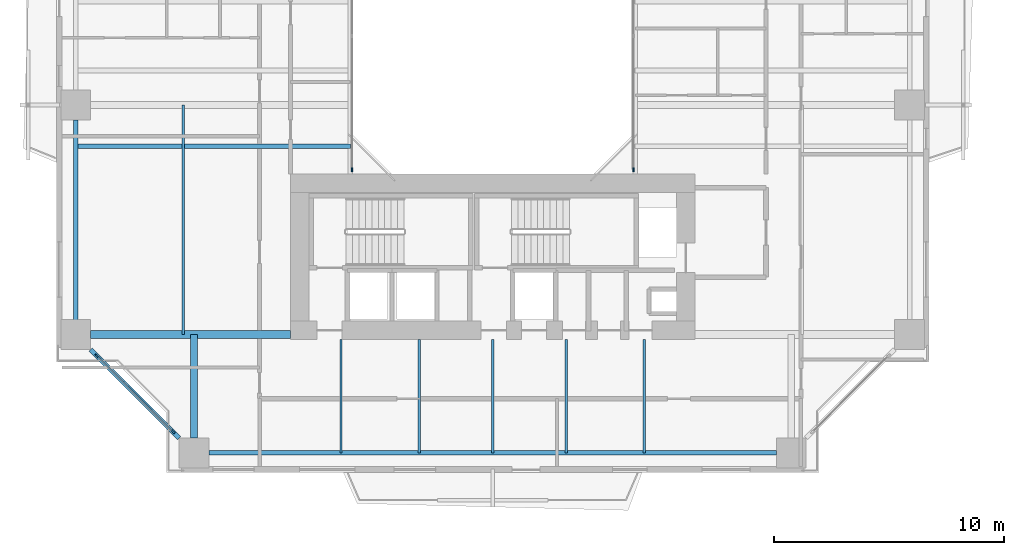
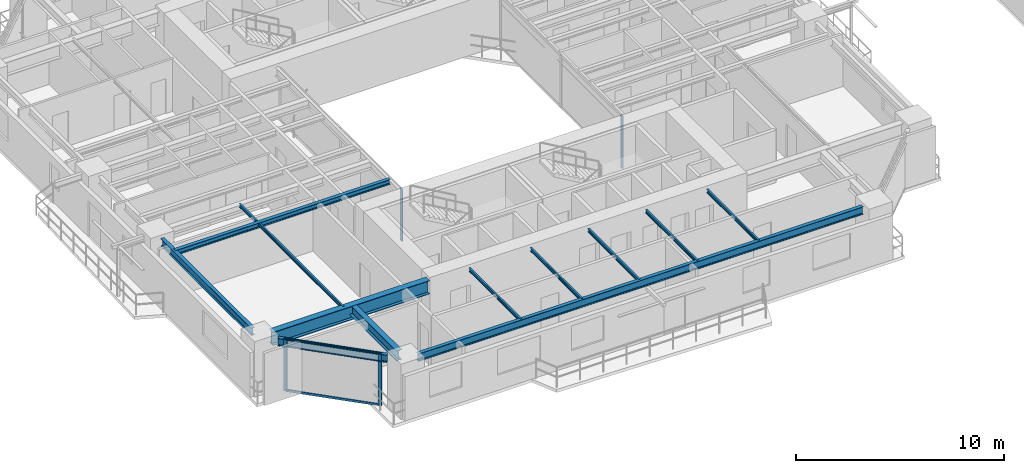
# One storey, part 2 of 23: 12 beams, 6 members, 3 elements without a shape of their own.
"""IFC4 building model written with IfcOpenShell, lengths in metres."""

from ifc_helpers import new_model, si_unit, direction, frame, origin, origin_2d, place, context, subcontext, project, spatial, rectangle, i_section, extrude, source, transform, mapped, material, layer, layer_set, material_profile, profile_set, type_object, element, aggregate, save


model = new_model("IFC4")

# Units and contexts
model_context = context("Model", 3, precision=1e-05, world=origin(), true_north=direction((0.0, 1.0)))
body_context = subcontext(model_context, "Body", "Model", "MODEL_VIEW")
ifc_project = project(units=[si_unit("LENGTHUNIT", "METRE"), si_unit("AREAUNIT", "SQUARE_METRE"), si_unit("VOLUMEUNIT", "CUBIC_METRE"), si_unit("PLANEANGLEUNIT", "RADIAN"), si_unit("MASSUNIT", "GRAM", prefix="KILO"), si_unit("THERMODYNAMICTEMPERATUREUNIT", "KELVIN"), si_unit("POWERUNIT", "WATT")], contexts=[model_context])

# Site, building, storey
site_placement = place(None, origin())
site = spatial("IfcSite", under=ifc_project, at=site_placement, CompositionType="ELEMENT")
building_placement = place(site_placement, origin())
building = spatial("IfcBuilding", under=site, at=building_placement, Name="Qiaomeng Ring Towers", CompositionType="ELEMENT")
storey_placement = place(building_placement, frame((0.0, 0.0, 82.75)))
storey = spatial("IfcBuildingStorey", under=building, at=storey_placement, Name="L23", CompositionType="ELEMENT", Elevation=82.75)

# Beams
ifc_material_1 = material(Name="Steel Q355B", Category="steel")
ifc_material_profile_1 = material_profile(ifc_material_1, i_section(OverallWidth=0.199951171875, OverallDepth=0.449951171875, WebThickness=0.009033203125, FlangeThickness=0.013916015625, FilletRadius=0.01806640625, at=origin_2d()), Name="HN 450x200x9x14")
ifc_profile_set_1 = profile_set([ifc_material_profile_1], Name="Steel Q355B")
beam_type_1 = type_object("IfcBeamType", Name="STR-BM-HN450", PredefinedType="SPANDREL", material=ifc_profile_set_1)
shared_shape_1 = source(origin(), body_context, "Body", "SweptSolid", [
    extrude(i_section(OverallWidth=0.199951171875, OverallDepth=0.449951171875, WebThickness=0.009033203125, FlangeThickness=0.013916015625, FilletRadius=0.01806640625, at=origin_2d()), origin(), (0.0, 0.0, 1.0), 24.7021484375),
])
beam_1_placement = place(storey_placement, frame((6.64892578125, 4.85009765625, 2.844970703125), z_axis=(1.0, 0.0, 0.0), x_axis=(0.0, 1.0, 0.0)))
element("IfcBeam", 1, at=beam_1_placement, inside=storey, type_object=beam_type_1, Name="L23 beam STR-SP-L23-T1-S1-S2", PredefinedType="SPANDREL", context=body_context, shape_type="MappedRepresentation", body=[
    mapped(shared_shape_1, transform((0.0, 0.0, 0.0), x_axis=(1.0, 0.0, 0.0), y_axis=(0.0, 1.0, 0.0), z_axis=(0.0, 0.0, 1.0), scale=1.0)),
])
shared_shape_2 = source(origin(), body_context, "Body", "SweptSolid", [
    extrude(i_section(OverallWidth=0.199951171875, OverallDepth=0.449951171875, WebThickness=0.009033203125, FlangeThickness=0.013916015625, FilletRadius=0.01806640625, at=origin_2d()), origin(), (0.0, 0.0, 1.0), 5.446533203125),
])
beam_2_placement = place(storey_placement, frame((1.499267578125, 9.3505859375, 2.844970703125), z_axis=(0.707106781187, -0.707106781187, 0.0), x_axis=(0.707106781187, 0.707106781187, 0.0)))
element("IfcBeam", 2, at=beam_2_placement, inside=storey, type_object=beam_type_1, Name="L23 beam STR-SP-L23-T1-W1-S1", PredefinedType="SPANDREL", context=body_context, shape_type="MappedRepresentation", body=[
    mapped(shared_shape_2, transform((0.0, 0.0, 0.0), x_axis=(1.0, 0.0, 0.0), y_axis=(0.0, 1.0, 0.0), z_axis=(0.0, 0.0, 1.0), scale=1.0)),
])
shared_shape_3 = source(origin(), body_context, "Body", "SweptSolid", [
    extrude(i_section(OverallWidth=0.199951171875, OverallDepth=0.449951171875, WebThickness=0.009033203125, FlangeThickness=0.013916015625, FilletRadius=0.01806640625, at=origin_2d()), origin(), (0.0, 0.0, 1.0), 8.7021484375),
])
beam_3_placement = place(storey_placement, frame((0.85009765625, 19.35107421875, 2.844970703125), z_axis=(0.0, -1.0, 0.0), x_axis=(1.0, 0.0, 0.0)))
element("IfcBeam", 3, at=beam_3_placement, inside=storey, type_object=beam_type_1, Name="L23 beam STR-SP-L23-T1-W2-W1", PredefinedType="SPANDREL", context=body_context, shape_type="MappedRepresentation", body=[
    mapped(shared_shape_3, transform((0.0, 0.0, 0.0), x_axis=(1.0, 0.0, 0.0), y_axis=(0.0, 1.0, 0.0), z_axis=(0.0, 0.0, 1.0), scale=1.0)),
])
ifc_material_2 = material(Name="Steel Q390GJC", Category="steel")
ifc_material_profile_2 = material_profile(ifc_material_2, i_section(OverallWidth=0.35009765625, OverallDepth=0.800048828125, WebThickness=0.01611328125, FlangeThickness=0.028076171875, at=origin_2d()), Name="WH 800x350x16x28")
ifc_profile_set_2 = profile_set([ifc_material_profile_2], Name="Steel Q390GJC")
beam_type_2 = type_object("IfcBeamType", Name="STR-BM-WH800", PredefinedType="BEAM", material=ifc_profile_set_2)
shared_shape_4 = source(origin(), body_context, "Body", "SweptSolid", [
    extrude(i_section(OverallWidth=0.35009765625, OverallDepth=0.800048828125, WebThickness=0.01611328125, FlangeThickness=0.028076171875, at=origin_2d()), origin(), (0.0, 0.0, 1.0), 8.700927734375),
])
beam_4_placement = place(storey_placement, frame((1.4990234375, 10.0, 2.669921875), z_axis=(1.0, 0.0, 0.0), x_axis=(0.0, 1.0, 0.0)))
element("IfcBeam", 4, at=beam_4_placement, inside=storey, type_object=beam_type_2, Name="L23 beam STR-BM-L23-T1-RAD-W1", PredefinedType="BEAM", context=body_context, shape_type="MappedRepresentation", body=[
    mapped(shared_shape_4, transform((0.0, 0.0, 0.0), x_axis=(1.0, 0.0, 0.0), y_axis=(0.0, 1.0, 0.0), z_axis=(0.0, 0.0, 1.0), scale=1.0)),
])
ifc_material_profile_3 = material_profile(ifc_material_1, i_section(OverallWidth=0.300048828125, OverallDepth=0.587890625, WebThickness=0.011962890625, FlangeThickness=0.02001953125, FilletRadius=0.028076171875, at=origin_2d()), Name="HM 588x300x12x20")
ifc_profile_set_3 = profile_set([ifc_material_profile_3], Name="Steel Q355B")
beam_type_3 = type_object("IfcBeamType", Name="STR-BM-HM588", PredefinedType="BEAM", material=ifc_profile_set_3)
shared_shape_5 = source(origin(), body_context, "Body", "SweptSolid", [
    extrude(i_section(OverallWidth=0.300048828125, OverallDepth=0.587890625, WebThickness=0.011962890625, FlangeThickness=0.02001953125, FilletRadius=0.028076171875, at=origin_2d()), origin(), (0.0, 0.0, 1.0), 4.5009765625),
])
beam_5_placement = place(storey_placement, frame((6.0, 5.4990234375, 2.77587890625), z_axis=(0.0, 1.0, 0.0), x_axis=(-1.0, 0.0, 0.0)))
element("IfcBeam", 5, at=beam_5_placement, inside=storey, type_object=beam_type_3, Name="L23 beam STR-BM-L23-T1-RAD-S1", PredefinedType="BEAM", context=body_context, shape_type="MappedRepresentation", body=[
    mapped(shared_shape_5, transform((0.0, 0.0, 0.0), x_axis=(1.0, 0.0, 0.0), y_axis=(0.0, 1.0, 0.0), z_axis=(0.0, 0.0, 1.0), scale=1.0)),
])
ifc_material_profile_4 = material_profile(ifc_material_1, i_section(OverallWidth=0.10009765625, OverallDepth=0.199951171875, WebThickness=0.005615234375, FlangeThickness=0.008056640625, FilletRadius=0.010986328125, at=origin_2d()), Name="HN 200x100x5.5x8")
ifc_profile_set_4 = profile_set([ifc_material_profile_4], Name="Steel Q355B")
beam_type_4 = type_object("IfcBeamType", Name="STR-BM-HN200", PredefinedType="JOIST", material=ifc_profile_set_4)
shared_shape_6 = source(origin(), body_context, "Body", "SweptSolid", [
    extrude(i_section(OverallWidth=0.10009765625, OverallDepth=0.199951171875, WebThickness=0.005615234375, FlangeThickness=0.008056640625, FilletRadius=0.010986328125, at=origin_2d()), origin(), (0.0, 0.0, 1.0), 4.949951171875),
])
for number, where, z_axis, x_axis, name in (
    (6, (12.39990234375, 4.85009765625, 2.969970703125), (0.0, 1.0, 0.0), (-1.0, 0.0, 0.0), "L23 beam STR-JST-L23-T1S-1"),
    (7, (15.800048828125, 4.85009765625, 2.969970703125), (0.0, 1.0, 0.0), (-1.0, 0.0, 0.0), "L23 beam STR-JST-L23-T1S-2"),
    (8, (19.0, 4.85009765625, 2.969970703125), (0.0, 1.0, 0.0), (-1.0, 0.0, 0.0), "L23 beam STR-JST-L23-T1S-3"),
    (9, (22.199951171875, 4.85009765625, 2.969970703125), (0.0, 1.0, 0.0), (-1.0, 0.0, 0.0), "L23 beam STR-JST-L23-T1S-4"),
    (10, (25.60009765625, 4.85009765625, 2.969970703125), (0.0, 1.0, 0.0), (-1.0, 0.0, 0.0), "L23 beam STR-JST-L23-T1S-5"),
):
    element("IfcBeam", number, at=place(storey_placement, frame(where, z_axis=z_axis, x_axis=x_axis)), inside=storey, type_object=beam_type_4, Name=name, PredefinedType="JOIST", context=body_context, shape_type="MappedRepresentation", body=[
        mapped(shared_shape_6, transform((0.0, 0.0, 0.0), x_axis=(1.0, 0.0, 0.0), y_axis=(0.0, 1.0, 0.0), z_axis=(0.0, 0.0, 1.0), scale=1.0)),
    ])
ifc_material_profile_5 = material_profile(ifc_material_1, i_section(OverallWidth=0.199951171875, OverallDepth=0.2939453125, WebThickness=0.008056640625, FlangeThickness=0.011962890625, FilletRadius=0.01806640625, at=origin_2d()), Name="HM 294x200x8x12")
ifc_profile_set_5 = profile_set([ifc_material_profile_5], Name="Steel Q355B")
beam_type_5 = type_object("IfcBeamType", Name="STR-BM-HM294", PredefinedType="JOIST", material=ifc_profile_set_5)
shared_shape_7 = source(origin(), body_context, "Body", "SweptSolid", [
    extrude(i_section(OverallWidth=0.199951171875, OverallDepth=0.2939453125, WebThickness=0.008056640625, FlangeThickness=0.011962890625, FilletRadius=0.01806640625, at=origin_2d()), origin(), (0.0, 0.0, 1.0), 11.949951171875),
])
beam_6_placement = place(storey_placement, frame((0.85009765625, 18.199951171875, 2.923095703125), z_axis=(1.0, 0.0, 0.0), x_axis=(0.0, 1.0, 0.0)))
element("IfcBeam", 11, at=beam_6_placement, inside=storey, type_object=beam_type_5, Name="L23 beam STR-JST-L23-T1W-1", PredefinedType="JOIST", context=body_context, shape_type="MappedRepresentation", body=[
    mapped(shared_shape_7, transform((0.0, 0.0, 0.0), x_axis=(1.0, 0.0, 0.0), y_axis=(0.0, 1.0, 0.0), z_axis=(0.0, 0.0, 1.0), scale=1.0)),
])
shared_shape_8 = source(origin(), body_context, "Body", "SweptSolid", [
    extrude(i_section(OverallWidth=0.10009765625, OverallDepth=0.199951171875, WebThickness=0.005615234375, FlangeThickness=0.008056640625, FilletRadius=0.010986328125, at=origin_2d()), origin(), (0.0, 0.0, 1.0), 10.0),
])
beam_7_placement = place(storey_placement, frame((5.52490234375, 10.0, 2.969970703125), z_axis=(0.0, 1.0, 0.0), x_axis=(-1.0, 0.0, 0.0)))
element("IfcBeam", 12, at=beam_7_placement, inside=storey, type_object=beam_type_4, Name="L23 beam STR-JST-L23-T1C-WS", PredefinedType="JOIST", context=body_context, shape_type="MappedRepresentation", body=[
    mapped(shared_shape_8, transform((0.0, 0.0, 0.0), x_axis=(1.0, 0.0, 0.0), y_axis=(0.0, 1.0, 0.0), z_axis=(0.0, 0.0, 1.0), scale=1.0)),
])

# Curtain wall, member
ifc_material_3 = material(Name="Fluorocarbon dark-grey aluminium", Category="aluminium")
ifc_layer_1 = layer(ifc_material_3, 0.139892578125, Name="Fluorocarbon dark-grey aluminium")
ifc_layer_set_1 = layer_set([ifc_layer_1], Name="Fluorocarbon dark-grey aluminium")
curtain_wall_type_1 = type_object("IfcCurtainWallType", Name="ARC-CW-4", PredefinedType="NOTDEFINED", material=ifc_layer_set_1)
curtain_wall_1_placement = place(storey_placement, origin())
curtain_wall_1 = element("IfcCurtainWall", 13, at=curtain_wall_1_placement, inside=storey, type_object=curtain_wall_type_1, Name="L23 Curtain Wall CW4", PredefinedType="NOTDEFINED")
ifc_material_profile_6 = material_profile(ifc_material_3, rectangle(XDim=0.06494140625, YDim=0.159912109375, at=origin_2d()), Name="ALU MULL 65x160")
ifc_profile_set_6 = profile_set([ifc_material_profile_6], Name="Fluorocarbon dark-grey aluminium")
member_type_1 = type_object("IfcMemberType", Name="ARC-CWM-140", PredefinedType="MULLION", material=ifc_profile_set_6)
shared_shape_9 = source(origin(), body_context, "Body", "SweptSolid", [
    extrude(rectangle(XDim=0.06494140625, YDim=0.159912109375, at=origin_2d()), origin(), (0.0, 0.0, 1.0), 3.070068359375),
])
member_1_placement = place(storey_placement, frame((12.8798828125, 17.1826171875, 0.0), z_axis=(0.0, 0.0, 1.0), x_axis=(-1.0, 0.0, 0.0)))
member_1 = element("IfcMember", 14, at=member_1_placement, type_object=member_type_1, Name="CW4 mullion 1", PredefinedType="MULLION", context=body_context, shape_type="MappedRepresentation", body=[
    mapped(shared_shape_9, transform((0.0, 0.0, 0.0), x_axis=(1.0, 0.0, 0.0), y_axis=(0.0, 1.0, 0.0), z_axis=(0.0, 0.0, 1.0), scale=1.0)),
])
aggregate(curtain_wall_1, [member_1])

curtain_wall_2_placement = place(storey_placement, origin())
curtain_wall_2 = element("IfcCurtainWall", 15, at=curtain_wall_2_placement, inside=storey, type_object=curtain_wall_type_1, Name="L23 Curtain Wall CW4", PredefinedType="NOTDEFINED")
member_2_placement = place(storey_placement, frame((25.1201171875, 17.1826171875, 0.0), z_axis=(0.0, 0.0, 1.0), x_axis=(-1.0, 0.0, 0.0)))
member_2 = element("IfcMember", 16, at=member_2_placement, type_object=member_type_1, Name="CW4 mullion 1", PredefinedType="MULLION", context=body_context, shape_type="MappedRepresentation", body=[
    mapped(shared_shape_9, transform((0.0, 0.0, 0.0), x_axis=(1.0, 0.0, 0.0), y_axis=(0.0, 1.0, 0.0), z_axis=(0.0, 0.0, 1.0), scale=1.0)),
])
aggregate(curtain_wall_2, [member_2])

# Curtain wall, members
ifc_layer_2 = layer(ifc_material_3, 0.159912109375, Name="Fluorocarbon dark-grey aluminium")
ifc_layer_set_2 = layer_set([ifc_layer_2], Name="Fluorocarbon dark-grey aluminium")
curtain_wall_type_2 = type_object("IfcCurtainWallType", Name="ARC-CW-2", PredefinedType="NOTDEFINED", material=ifc_layer_set_2)
curtain_wall_3_placement = place(storey_placement, origin())
curtain_wall_3 = element("IfcCurtainWall", 17, at=curtain_wall_3_placement, inside=storey, type_object=curtain_wall_type_2, Name="L23 Curtain Wall CW2", PredefinedType="NOTDEFINED")
ifc_material_profile_7 = material_profile(ifc_material_3, rectangle(XDim=0.070068359375, YDim=0.179931640625, at=origin_2d()), Name="ALU MULL 70x180")
ifc_profile_set_7 = profile_set([ifc_material_profile_7], Name="Fluorocarbon dark-grey aluminium")
member_type_2 = type_object("IfcMemberType", Name="ARC-CWM-160", PredefinedType="MULLION", material=ifc_profile_set_7)
shared_shape_10 = source(origin(), body_context, "Body", "SweptSolid", [
    extrude(rectangle(XDim=0.070068359375, YDim=0.179931640625, at=origin_2d()), origin(), (0.0, 0.0, 1.0), 3.070068359375),
])
member_3_placement = place(storey_placement, frame((1.7646484375, 9.085205078125, 0.0), z_axis=(0.0, 0.0, 1.0), x_axis=(0.707106781187, 0.707106781187, 0.0)))
member_3 = element("IfcMember", 18, at=member_3_placement, type_object=member_type_2, Name="CW2 mullion 1", PredefinedType="MULLION", context=body_context, shape_type="MappedRepresentation", body=[
    mapped(shared_shape_10, transform((0.0, 0.0, 0.0), x_axis=(1.0, 0.0, 0.0), y_axis=(0.0, 1.0, 0.0), z_axis=(0.0, 0.0, 1.0), scale=1.0)),
])
member_4_placement = place(storey_placement, frame((5.085205078125, 5.7646484375, 0.0), z_axis=(0.0, 0.0, 1.0), x_axis=(0.707106781187, 0.707106781187, 0.0)))
member_4 = element("IfcMember", 19, at=member_4_placement, type_object=member_type_2, Name="CW2 mullion 2", PredefinedType="MULLION", context=body_context, shape_type="MappedRepresentation", body=[
    mapped(shared_shape_10, transform((0.0, 0.0, 0.0), x_axis=(1.0, 0.0, 0.0), y_axis=(0.0, 1.0, 0.0), z_axis=(0.0, 0.0, 1.0), scale=1.0)),
])
ifc_material_profile_8 = material_profile(ifc_material_3, rectangle(XDim=0.06494140625, YDim=0.1298828125, at=origin_2d()), Name="ALU TRAN 65x130")
ifc_profile_set_8 = profile_set([ifc_material_profile_8], Name="Fluorocarbon dark-grey aluminium")
member_type_3 = type_object("IfcMemberType", Name="ARC-CWT-120", PredefinedType="USERDEFINED", material=ifc_profile_set_8)
shared_shape_11 = source(origin(), body_context, "Body", "SweptSolid", [
    extrude(rectangle(XDim=0.06494140625, YDim=0.1298828125, at=origin_2d()), origin(), (0.0, 0.0, 1.0), 4.6259765625),
])
member_5_placement = place(storey_placement, frame((1.78955078125, 9.060546875, 0.032470703125), z_axis=(0.707106781187, -0.707106781187, 0.0), x_axis=(0.707106781187, 0.707106781187, 0.0)))
member_5 = element("IfcMember", 20, at=member_5_placement, type_object=member_type_3, Name="CW2 transom 1.1", ObjectType="TRANSOM", PredefinedType="USERDEFINED", context=body_context, shape_type="MappedRepresentation", body=[
    mapped(shared_shape_11, transform((0.0, 0.0, 0.0), x_axis=(1.0, 0.0, 0.0), y_axis=(0.0, 1.0, 0.0), z_axis=(0.0, 0.0, 1.0), scale=1.0)),
])
member_6_placement = place(storey_placement, frame((1.78955078125, 9.060546875, 3.03759765625), z_axis=(0.707106781187, -0.707106781187, 0.0), x_axis=(0.707106781187, 0.707106781187, 0.0)))
member_6 = element("IfcMember", 21, at=member_6_placement, type_object=member_type_3, Name="CW2 transom 1.2", ObjectType="TRANSOM", PredefinedType="USERDEFINED", context=body_context, shape_type="MappedRepresentation", body=[
    mapped(shared_shape_11, transform((0.0, 0.0, 0.0), x_axis=(1.0, 0.0, 0.0), y_axis=(0.0, 1.0, 0.0), z_axis=(0.0, 0.0, 1.0), scale=1.0)),
])
aggregate(curtain_wall_3, [member_3, member_4, member_5, member_6])

save(model, "model.ifc")
